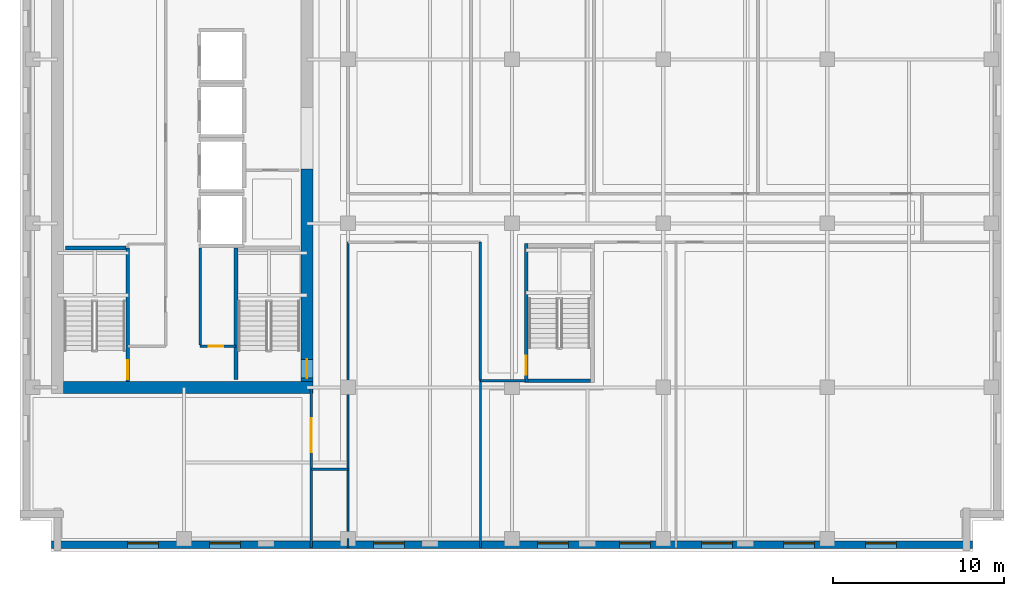
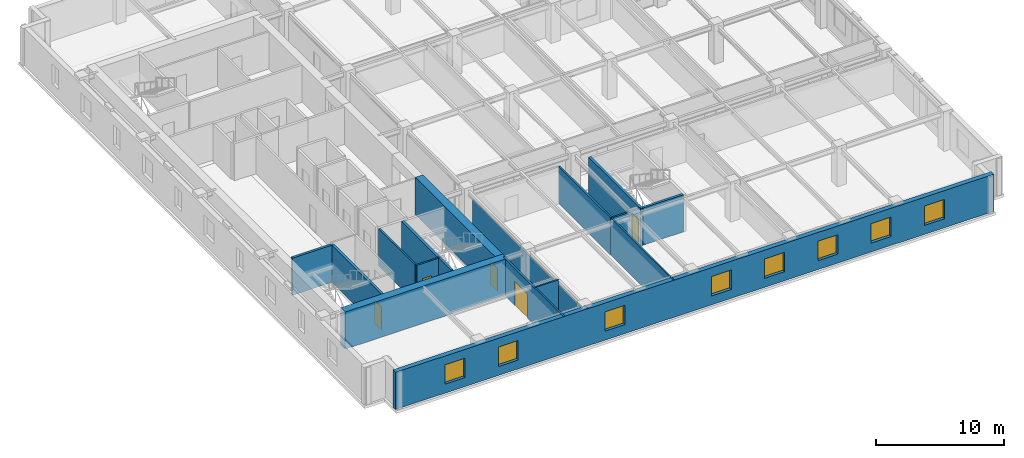
# One storey, part 3 of 11: 17 walls, 8 windows, 5 doors, 13 openings.
"""IFC4 building model written with IfcOpenShell, lengths in metres."""

from ifc_helpers import new_model, si_unit, direction, frame, frame_2d, origin, place, context, subcontext, project, spatial, rectangle, extrude, material, layer, layer_set, type_object, element, fill, save


model = new_model("IFC4")

# Units and contexts
model_context = context("Model", 3, precision=1e-05, world=origin(), true_north=direction((0.0, 1.0)))
body_context = subcontext(model_context, "Body", "Model", "MODEL_VIEW")
ifc_project = project(units=[si_unit("LENGTHUNIT", "METRE"), si_unit("AREAUNIT", "SQUARE_METRE"), si_unit("VOLUMEUNIT", "CUBIC_METRE"), si_unit("PLANEANGLEUNIT", "RADIAN"), si_unit("MASSUNIT", "GRAM", prefix="KILO")], contexts=[model_context])

# Site, building, storey
site_placement = place(None, origin())
site = spatial("IfcSite", under=ifc_project, at=site_placement, CompositionType="ELEMENT")
building_placement = place(site_placement, origin())
building = spatial("IfcBuilding", under=site, at=building_placement, Name="Norrvale University Quadrangle", CompositionType="ELEMENT")
storey_placement = place(building_placement, frame((0.0, 0.0, 206.60009765625)))
storey = spatial("IfcBuildingStorey", under=building, at=storey_placement, Name="L52", CompositionType="ELEMENT", Elevation=206.60009765625)

# Wall, openings, windows
ifc_material_1 = material(Name="Buff Norman Clay Brick Masonry", Category="masonry")
ifc_layer_1 = layer(ifc_material_1, 0.419921875, Name="Buff Norman Clay Brick Masonry")
ifc_layer_set_1 = layer_set([ifc_layer_1], Name="Buff Norman Clay Brick Masonry")
wall_type_1 = type_object("IfcWallType", Name="Wall Buff Brick 420", PredefinedType="SOLIDWALL", material=ifc_layer_set_1)
wall_1_placement = place(storey_placement, frame((1.840087890625, 0.389892578125, 0.0), z_axis=(0.0, 0.0, 1.0), x_axis=(1.0, 0.0, 0.0)))
wall_1 = element("IfcWall", 1, at=wall_1_placement, inside=storey, type_object=wall_type_1, Name="Exterior Brick Facade Wall L52-01.1", PredefinedType="SOLIDWALL", context=body_context, shape_type="SweptSolid", body=[
    extrude(rectangle(XDim=53.919921875, YDim=0.419921875, at=frame_2d((26.9599609375, 0.0))), origin(), (0.0, 0.0, 1.0), 3.539794921875),
])
opening_1_placement = place(wall_1_placement, frame((4.4599609375, 0.0, 0.85009765625)))
opening_1 = element("IfcOpeningElement", 2, at=opening_1_placement, cuts=wall_1, Name="Opening W01", PredefinedType="OPENING", context=body_context, shape_type="SweptSolid", body=[
    extrude(rectangle(XDim=1.800048828125, YDim=1.85009765625, at=frame_2d((0.89990234375, 0.925048828125))), frame((0.0, 0.221923828125, 0.0), z_axis=(0.0, -1.0, 0.0), x_axis=(1.0, 0.0, 0.0)), (0.0, 0.0, 1.0), 0.44384765625),
])
opening_2_placement = place(wall_1_placement, frame((9.260009765625, 0.0, 0.85009765625)))
opening_2 = element("IfcOpeningElement", 3, at=opening_2_placement, cuts=wall_1, Name="Opening W01", PredefinedType="OPENING", context=body_context, shape_type="SweptSolid", body=[
    extrude(rectangle(XDim=1.800048828125, YDim=1.85009765625, at=frame_2d((0.89990234375, 0.925048828125))), frame((0.0, 0.221923828125, 0.0), z_axis=(0.0, -1.0, 0.0), x_axis=(1.0, 0.0, 0.0)), (0.0, 0.0, 1.0), 0.44384765625),
])
opening_3_placement = place(wall_1_placement, frame((18.860107421875, 0.0, 0.85009765625)))
opening_3 = element("IfcOpeningElement", 4, at=opening_3_placement, cuts=wall_1, Name="Opening W01", PredefinedType="OPENING", context=body_context, shape_type="SweptSolid", body=[
    extrude(rectangle(XDim=1.800048828125, YDim=1.85009765625, at=frame_2d((0.89990234375, 0.925048828125))), frame((0.0, 0.221923828125, 0.0), z_axis=(0.0, -1.0, 0.0), x_axis=(1.0, 0.0, 0.0)), (0.0, 0.0, 1.0), 0.44384765625),
])
opening_4_placement = place(wall_1_placement, frame((28.4599609375, 0.0, 0.85009765625)))
opening_4 = element("IfcOpeningElement", 5, at=opening_4_placement, cuts=wall_1, Name="Opening W01", PredefinedType="OPENING", context=body_context, shape_type="SweptSolid", body=[
    extrude(rectangle(XDim=1.800048828125, YDim=1.85009765625, at=frame_2d((0.89990234375, 0.925048828125))), frame((0.0, 0.221923828125, 0.0), z_axis=(0.0, -1.0, 0.0), x_axis=(1.0, 0.0, 0.0)), (0.0, 0.0, 1.0), 0.44384765625),
])
opening_5_placement = place(wall_1_placement, frame((33.260009765625, 0.0, 0.85009765625)))
opening_5 = element("IfcOpeningElement", 6, at=opening_5_placement, cuts=wall_1, Name="Opening W01", PredefinedType="OPENING", context=body_context, shape_type="SweptSolid", body=[
    extrude(rectangle(XDim=1.800048828125, YDim=1.85009765625, at=frame_2d((0.89990234375, 0.925048828125))), frame((0.0, 0.221923828125, 0.0), z_axis=(0.0, -1.0, 0.0), x_axis=(1.0, 0.0, 0.0)), (0.0, 0.0, 1.0), 0.44384765625),
])
opening_6_placement = place(wall_1_placement, frame((38.06005859375, 0.0, 0.85009765625)))
opening_6 = element("IfcOpeningElement", 7, at=opening_6_placement, cuts=wall_1, Name="Opening W01", PredefinedType="OPENING", context=body_context, shape_type="SweptSolid", body=[
    extrude(rectangle(XDim=1.800048828125, YDim=1.85009765625, at=frame_2d((0.89990234375, 0.925048828125))), frame((0.0, 0.221923828125, 0.0), z_axis=(0.0, -1.0, 0.0), x_axis=(1.0, 0.0, 0.0)), (0.0, 0.0, 1.0), 0.44384765625),
])
opening_7_placement = place(wall_1_placement, frame((42.860107421875, 0.0, 0.85009765625)))
opening_7 = element("IfcOpeningElement", 8, at=opening_7_placement, cuts=wall_1, Name="Opening W01", PredefinedType="OPENING", context=body_context, shape_type="SweptSolid", body=[
    extrude(rectangle(XDim=1.800048828125, YDim=1.85009765625, at=frame_2d((0.89990234375, 0.925048828125))), frame((0.0, 0.221923828125, 0.0), z_axis=(0.0, -1.0, 0.0), x_axis=(1.0, 0.0, 0.0)), (0.0, 0.0, 1.0), 0.44384765625),
])
opening_8_placement = place(wall_1_placement, frame((47.659912109375, 0.0, 0.85009765625)))
opening_8 = element("IfcOpeningElement", 9, at=opening_8_placement, cuts=wall_1, Name="Opening W01", PredefinedType="OPENING", context=body_context, shape_type="SweptSolid", body=[
    extrude(rectangle(XDim=1.800048828125, YDim=1.85009765625, at=frame_2d((0.89990234375, 0.925048828125))), frame((0.0, 0.221923828125, 0.0), z_axis=(0.0, -1.0, 0.0), x_axis=(1.0, 0.0, 0.0)), (0.0, 0.0, 1.0), 0.44384765625),
])
ifc_material_2 = material(Name="Triple Low-E Argon Glazing", Category="glass")
window_type = type_object("IfcWindowType", Name="Window Academic 1800x2300", PartitioningType="DOUBLE_PANEL_VERTICAL", PredefinedType="WINDOW", material=ifc_material_2)
window_1_placement = place(opening_1_placement, origin())
window_1 = element("IfcWindow", 10, at=window_1_placement, inside=storey, type_object=window_type, Name="Window Academic 1800x2300 WIN-L52-E01-1-01", OverallHeight=1.85009765625, OverallWidth=1.800048828125, PartitioningType="DOUBLE_PANEL_VERTICAL", PredefinedType="WINDOW", context=body_context, shape_type="SweptSolid", body=[
    extrude(rectangle(XDim=1.800048828125, YDim=1.85009765625, at=frame_2d((0.89990234375, 0.925048828125))), frame((0.0, 0.110107421875, 0.0), z_axis=(0.0, -1.0, 0.0), x_axis=(1.0, 0.0, 0.0)), (0.0, 0.0, 1.0), 0.06005859375),
])
fill(opening_1, window_1)
window_2_placement = place(opening_2_placement, origin())
window_2 = element("IfcWindow", 11, at=window_2_placement, inside=storey, type_object=window_type, Name="Window Academic 1800x2300 WIN-L52-E01-1-02", OverallHeight=1.85009765625, OverallWidth=1.800048828125, PartitioningType="DOUBLE_PANEL_VERTICAL", PredefinedType="WINDOW", context=body_context, shape_type="SweptSolid", body=[
    extrude(rectangle(XDim=1.800048828125, YDim=1.85009765625, at=frame_2d((0.89990234375, 0.925048828125))), frame((0.0, 0.110107421875, 0.0), z_axis=(0.0, -1.0, 0.0), x_axis=(1.0, 0.0, 0.0)), (0.0, 0.0, 1.0), 0.06005859375),
])
fill(opening_2, window_2)
window_3_placement = place(opening_3_placement, origin())
window_3 = element("IfcWindow", 12, at=window_3_placement, inside=storey, type_object=window_type, Name="Window Academic 1800x2300 WIN-L52-E01-1-03", OverallHeight=1.85009765625, OverallWidth=1.800048828125, PartitioningType="DOUBLE_PANEL_VERTICAL", PredefinedType="WINDOW", context=body_context, shape_type="SweptSolid", body=[
    extrude(rectangle(XDim=1.800048828125, YDim=1.85009765625, at=frame_2d((0.89990234375, 0.925048828125))), frame((0.0, 0.110107421875, 0.0), z_axis=(0.0, -1.0, 0.0), x_axis=(1.0, 0.0, 0.0)), (0.0, 0.0, 1.0), 0.06005859375),
])
fill(opening_3, window_3)
window_4_placement = place(opening_4_placement, origin())
window_4 = element("IfcWindow", 13, at=window_4_placement, inside=storey, type_object=window_type, Name="Window Academic 1800x2300 WIN-L52-E01-1-04", OverallHeight=1.85009765625, OverallWidth=1.800048828125, PartitioningType="DOUBLE_PANEL_VERTICAL", PredefinedType="WINDOW", context=body_context, shape_type="SweptSolid", body=[
    extrude(rectangle(XDim=1.800048828125, YDim=1.85009765625, at=frame_2d((0.89990234375, 0.925048828125))), frame((0.0, 0.110107421875, 0.0), z_axis=(0.0, -1.0, 0.0), x_axis=(1.0, 0.0, 0.0)), (0.0, 0.0, 1.0), 0.06005859375),
])
fill(opening_4, window_4)
window_5_placement = place(opening_5_placement, origin())
window_5 = element("IfcWindow", 14, at=window_5_placement, inside=storey, type_object=window_type, Name="Window Academic 1800x2300 WIN-L52-E01-1-05", OverallHeight=1.85009765625, OverallWidth=1.800048828125, PartitioningType="DOUBLE_PANEL_VERTICAL", PredefinedType="WINDOW", context=body_context, shape_type="SweptSolid", body=[
    extrude(rectangle(XDim=1.800048828125, YDim=1.85009765625, at=frame_2d((0.89990234375, 0.925048828125))), frame((0.0, 0.110107421875, 0.0), z_axis=(0.0, -1.0, 0.0), x_axis=(1.0, 0.0, 0.0)), (0.0, 0.0, 1.0), 0.06005859375),
])
fill(opening_5, window_5)
window_6_placement = place(opening_6_placement, origin())
window_6 = element("IfcWindow", 15, at=window_6_placement, inside=storey, type_object=window_type, Name="Window Academic 1800x2300 WIN-L52-E01-1-06", OverallHeight=1.85009765625, OverallWidth=1.800048828125, PartitioningType="DOUBLE_PANEL_VERTICAL", PredefinedType="WINDOW", context=body_context, shape_type="SweptSolid", body=[
    extrude(rectangle(XDim=1.800048828125, YDim=1.85009765625, at=frame_2d((0.89990234375, 0.925048828125))), frame((0.0, 0.110107421875, 0.0), z_axis=(0.0, -1.0, 0.0), x_axis=(1.0, 0.0, 0.0)), (0.0, 0.0, 1.0), 0.06005859375),
])
fill(opening_6, window_6)
window_7_placement = place(opening_7_placement, origin())
window_7 = element("IfcWindow", 16, at=window_7_placement, inside=storey, type_object=window_type, Name="Window Academic 1800x2300 WIN-L52-E01-1-07", OverallHeight=1.85009765625, OverallWidth=1.800048828125, PartitioningType="DOUBLE_PANEL_VERTICAL", PredefinedType="WINDOW", context=body_context, shape_type="SweptSolid", body=[
    extrude(rectangle(XDim=1.800048828125, YDim=1.85009765625, at=frame_2d((0.89990234375, 0.925048828125))), frame((0.0, 0.110107421875, 0.0), z_axis=(0.0, -1.0, 0.0), x_axis=(1.0, 0.0, 0.0)), (0.0, 0.0, 1.0), 0.06005859375),
])
fill(opening_7, window_7)
window_8_placement = place(opening_8_placement, origin())
window_8 = element("IfcWindow", 17, at=window_8_placement, inside=storey, type_object=window_type, Name="Window Academic 1800x2300 WIN-L52-E01-1-08", OverallHeight=1.85009765625, OverallWidth=1.800048828125, PartitioningType="DOUBLE_PANEL_VERTICAL", PredefinedType="WINDOW", context=body_context, shape_type="SweptSolid", body=[
    extrude(rectangle(XDim=1.800048828125, YDim=1.85009765625, at=frame_2d((0.89990234375, 0.925048828125))), frame((0.0, 0.110107421875, 0.0), z_axis=(0.0, -1.0, 0.0), x_axis=(1.0, 0.0, 0.0)), (0.0, 0.0, 1.0), 0.06005859375),
])
fill(opening_8, window_8)

# Wall
ifc_material_3 = material(Name="Concrete C60/75", Category="concrete")
ifc_layer_2 = layer(ifc_material_3, 0.699951171875, Name="Concrete C60/75")
ifc_layer_set_2 = layer_set([ifc_layer_2], Name="Concrete C60/75")
wall_type_2 = type_object("IfcWallType", Name="Wall Core 700", PredefinedType="SHEAR", material=ifc_layer_set_2)
wall_2_placement = place(storey_placement, frame((2.550048828125, 9.60009765625, 0.0), z_axis=(0.0, 0.0, 1.0), x_axis=(1.0, 0.0, 0.0)))
element("IfcWall", 18, at=wall_2_placement, inside=storey, type_object=wall_type_2, Name="Tower Core Shear Wall L52-S", PredefinedType="SHEAR", context=body_context, shape_type="SweptSolid", body=[
    extrude(rectangle(XDim=14.599853515625, YDim=0.699951171875, at=frame_2d((7.2998046875, 0.0))), origin(), (0.0, 0.0, 1.0), 3.539794921875),
])

# Wall, opening, door
wall_3_placement = place(storey_placement, frame((16.800048828125, 9.949951171875, 0.0), z_axis=(0.0, 0.0, 1.0), x_axis=(0.0, 1.0, 0.0)))
wall_3 = element("IfcWall", 19, at=wall_3_placement, inside=storey, type_object=wall_type_2, Name="Tower Core Shear Wall L52-E1", PredefinedType="SHEAR", context=body_context, shape_type="SweptSolid", body=[
    extrude(rectangle(XDim=12.449951171875, YDim=0.699951171875, at=frame_2d((6.22509765625, 0.0))), origin(), (0.0, 0.0, 1.0), 3.539794921875),
])
opening_9_placement = place(wall_3_placement, frame((0.18994140625, 0.0, 0.0)))
opening_9 = element("IfcOpeningElement", 20, at=opening_9_placement, cuts=wall_3, Name="Opening D02", PredefinedType="OPENING", context=body_context, shape_type="SweptSolid", body=[
    extrude(rectangle(XDim=1.10009765625, YDim=2.199951171875, at=frame_2d((0.550048828125, 1.10009765625))), frame((0.0, 0.362060546875, 0.0), z_axis=(0.0, -1.0, 0.0), x_axis=(1.0, 0.0, 0.0)), (0.0, 0.0, 1.0), 0.723876953125),
])
ifc_material_4 = material(Name="Hollow Steel 350W Fire Door", Category="steel")
door_type_1 = type_object("IfcDoorType", Name="Door Stair Exit 1100x2200", OperationType="NOTDEFINED", PredefinedType="DOOR", material=ifc_material_4)
door_1_placement = place(opening_9_placement, origin())
door_1 = element("IfcDoor", 21, at=door_1_placement, inside=storey, type_object=door_type_1, Name="Door Stair Exit 1100x2200 DR-L52-ST03", OperationType="SINGLE_SWING_LEFT", OverallHeight=2.199951171875, OverallWidth=1.10009765625, PredefinedType="DOOR", context=body_context, shape_type="SweptSolid", body=[
    extrude(rectangle(XDim=1.10009765625, YDim=2.199951171875, at=frame_2d((0.550048828125, 1.10009765625))), frame((0.0, 0.02490234375, 0.0), z_axis=(0.0, -1.0, 0.0), x_axis=(1.0, 0.0, 0.0)), (0.0, 0.0, 1.0), 0.050048828125),
])
fill(opening_9, door_1)

# Walls
ifc_material_5 = material(Name="Standard Academic Gypsum Partition")
ifc_layer_3 = layer(ifc_material_5, 0.125, Name="Standard Academic Gypsum Partition")
ifc_layer_set_3 = layer_set([ifc_layer_3], Name="Standard Academic Gypsum Partition")
wall_type_3 = type_object("IfcWallType", Name="Wall Gypsum Academic 125", PredefinedType="PARTITIONING", material=ifc_layer_set_3)
wall_4_placement = place(storey_placement, frame((19.199951171875, 0.219970703125, 0.0), z_axis=(0.0, 0.0, 1.0), x_axis=(0.0, 1.0, 0.0)))
element("IfcWall", 22, at=wall_4_placement, inside=storey, type_object=wall_type_3, Name="Interior Partition WL-L52-SE-W0", PredefinedType="PARTITIONING", context=body_context, shape_type="SweptSolid", body=[
    extrude(rectangle(XDim=0.530029296875, YDim=0.125, at=frame_2d((0.26513671875, 0.0))), origin(), (0.0, 0.0, 1.0), 3.539794921875),
])
wall_5_placement = place(storey_placement, frame((19.199951171875, 0.75, 0.0), z_axis=(0.0, 0.0, 1.0), x_axis=(0.0, 1.0, 0.0)))
element("IfcWall", 23, at=wall_5_placement, inside=storey, type_object=wall_type_3, Name="Interior Partition WL-L52-SE-W0-B2", PredefinedType="PARTITIONING", context=body_context, shape_type="SweptSolid", body=[
    extrude(rectangle(XDim=17.35009765625, YDim=0.125, at=frame_2d((8.675048828125, 0.0))), origin(), (0.0, 0.0, 1.0), 3.07080078125),
])
wall_6_placement = place(storey_placement, frame((26.949951171875, 0.219970703125, 0.0), z_axis=(0.0, 0.0, 1.0), x_axis=(0.0, 1.0, 0.0)))
element("IfcWall", 24, at=wall_6_placement, inside=storey, type_object=wall_type_3, Name="Interior Partition WL-L52-SEP1A", PredefinedType="PARTITIONING", context=body_context, shape_type="SweptSolid", body=[
    extrude(rectangle(XDim=9.780029296875, YDim=0.125, at=frame_2d((4.89013671875, 0.0))), origin(), (0.0, 0.0, 1.0), 3.539794921875),
])

# Wall, opening, door
ifc_material_6 = material(Name="Fire-Rated Gypsum Stud Partition")
ifc_layer_4 = layer(ifc_material_6, 0.14990234375, Name="Fire-Rated Gypsum Stud Partition")
ifc_layer_set_4 = layer_set([ifc_layer_4], Name="Fire-Rated Gypsum Stud Partition")
wall_type_4 = type_object("IfcWallType", Name="Wall Gypsum Corridor 150", PredefinedType="PARTITIONING", material=ifc_layer_set_4)
wall_7_placement = place(storey_placement, frame((10.550048828125, 12.02001953125, 0.0), z_axis=(0.0, 0.0, 1.0), x_axis=(1.0, 0.0, 0.0)))
wall_7 = element("IfcWall", 25, at=wall_7_placement, inside=storey, type_object=wall_type_4, Name="Interior Partition WL-L52-SC-NR", PredefinedType="PARTITIONING", context=body_context, shape_type="SweptSolid", body=[
    extrude(rectangle(XDim=2.079833984375, YDim=0.14990234375, at=frame_2d((1.0400390625, 0.0))), origin(), (0.0, 0.0, 1.0), 3.539794921875),
])
opening_10_placement = place(wall_7_placement, frame((0.5, 0.0, 0.0)))
opening_10 = element("IfcOpeningElement", 26, at=opening_10_placement, cuts=wall_7, Name="Opening D10", PredefinedType="OPENING", context=body_context, shape_type="SweptSolid", body=[
    extrude(rectangle(XDim=0.85009765625, YDim=2.10009765625, at=frame_2d((0.425048828125, 1.050048828125))), frame((0.0, 0.0869140625, 0.0), z_axis=(0.0, -1.0, 0.0), x_axis=(1.0, 0.0, 0.0)), (0.0, 0.0, 1.0), 0.173828125),
])
ifc_material_7 = material(Name="Hollow Steel 350W Riser Fire Door", Category="steel")
door_type_2 = type_object("IfcDoorType", Name="Door Riser 850x2100", OperationType="NOTDEFINED", PredefinedType="DOOR", material=ifc_material_7)
door_2_placement = place(opening_10_placement, origin())
door_2 = element("IfcDoor", 27, at=door_2_placement, inside=storey, type_object=door_type_2, Name="Door Riser 850x2100 DR-L52-IDF", OperationType="SINGLE_SWING_RIGHT", OverallHeight=2.10009765625, OverallWidth=0.85009765625, PredefinedType="DOOR", context=body_context, shape_type="SweptSolid", body=[
    extrude(rectangle(XDim=0.85009765625, YDim=2.10009765625, at=frame_2d((0.425048828125, 1.050048828125))), frame((0.0, 0.02490234375, 0.0), z_axis=(0.0, -1.0, 0.0), x_axis=(1.0, 0.0, 0.0)), (0.0, 0.0, 1.0), 0.050048828125),
])
fill(opening_10, door_2)

# Walls
wall_8_placement = place(storey_placement, frame((10.550048828125, 12.094970703125, 0.0), z_axis=(0.0, 0.0, 1.0), x_axis=(0.0, 1.0, 0.0)))
element("IfcWall", 28, at=wall_8_placement, inside=storey, type_object=wall_type_4, Name="Interior Partition WL-L52-SC-WR", PredefinedType="PARTITIONING", context=body_context, shape_type="SweptSolid", body=[
    extrude(rectangle(XDim=5.679931640625, YDim=0.14990234375, at=frame_2d((2.83984375, 0.0))), origin(), (0.0, 0.0, 1.0), 3.539794921875),
])
wall_9_placement = place(storey_placement, frame((17.050048828125, 4.800048828125, 0.0), z_axis=(0.0, 0.0, 1.0), x_axis=(1.0, 0.0, 0.0)))
element("IfcWall", 29, at=wall_9_placement, inside=storey, type_object=wall_type_4, Name="Interior Partition WL-L52-CSP-S", PredefinedType="PARTITIONING", context=body_context, shape_type="SweptSolid", body=[
    extrude(rectangle(XDim=2.14990234375, YDim=0.14990234375, at=frame_2d((1.074951171875, 0.0))), origin(), (0.0, 0.0, 1.0), 3.539794921875),
])

# Wall, opening, door
wall_10_placement = place(storey_placement, frame((17.050048828125, 0.219970703125, 0.0), z_axis=(0.0, 0.0, 1.0), x_axis=(0.0, 1.0, 0.0)))
wall_10 = element("IfcWall", 30, at=wall_10_placement, inside=storey, type_object=wall_type_4, Name="Interior Partition WL-L52-SW-E", PredefinedType="PARTITIONING", context=body_context, shape_type="SweptSolid", body=[
    extrude(rectangle(XDim=9.380126953125, YDim=0.14990234375, at=frame_2d((4.68994140625, 0.0))), origin(), (0.0, 0.0, 1.0), 3.539794921875),
])
opening_11_placement = place(wall_10_placement, frame((5.580078125, 0.0, 0.0)))
opening_11 = element("IfcOpeningElement", 31, at=opening_11_placement, cuts=wall_10, Name="Opening D06", PredefinedType="OPENING", context=body_context, shape_type="SweptSolid", body=[
    extrude(rectangle(XDim=2.0, YDim=2.300048828125, at=frame_2d((1.0, 1.14990234375))), frame((0.0, 0.0869140625, 0.0), z_axis=(0.0, -1.0, 0.0), x_axis=(1.0, 0.0, 0.0)), (0.0, 0.0, 1.0), 0.173828125),
])
ifc_material_8 = material(Name="Acoustic Oak Double Door", Category="wood")
door_type_3 = type_object("IfcDoorType", Name="Door Lecture Dbl 2000x2300", OperationType="DOUBLE_SWING_LEFT", PredefinedType="DOOR", material=ifc_material_8)
door_3_placement = place(opening_11_placement, origin())
door_3 = element("IfcDoor", 32, at=door_3_placement, inside=storey, type_object=door_type_3, Name="Door Lecture Dbl 2000x2300 DR-L52-SW1", OperationType="DOUBLE_SWING_LEFT", OverallHeight=2.300048828125, OverallWidth=2.0, PredefinedType="DOOR", context=body_context, shape_type="SweptSolid", body=[
    extrude(rectangle(XDim=2.0, YDim=2.300048828125, at=frame_2d((1.0, 1.14990234375))), frame((0.0, 0.02490234375, 0.0), z_axis=(0.0, -1.0, 0.0), x_axis=(1.0, 0.0, 0.0)), (0.0, 0.0, 1.0), 0.050048828125),
])
fill(opening_11, door_3)

# Walls
wall_11_placement = place(storey_placement, frame((26.949951171875, 10.0, 0.0), z_axis=(0.0, 0.0, 1.0), x_axis=(0.0, 1.0, 0.0)))
element("IfcWall", 33, at=wall_11_placement, inside=storey, type_object=wall_type_4, Name="Interior Partition WL-L52-SEP1B", PredefinedType="PARTITIONING", context=body_context, shape_type="SweptSolid", body=[
    extrude(rectangle(XDim=8.10009765625, YDim=0.14990234375, at=frame_2d((4.050048828125, 0.0))), origin(), (0.0, 0.0, 1.0), 3.539794921875),
])
wall_12_placement = place(storey_placement, frame((26.949951171875, 10.0, 0.0), z_axis=(0.0, 0.0, 1.0), x_axis=(1.0, 0.0, 0.0)))
element("IfcWall", 34, at=wall_12_placement, inside=storey, type_object=wall_type_4, Name="Interior Partition WL-L52-SEP1C", PredefinedType="PARTITIONING", context=body_context, shape_type="SweptSolid", body=[
    extrude(rectangle(XDim=2.630126953125, YDim=0.14990234375, at=frame_2d((1.31494140625, 0.0))), origin(), (0.0, 0.0, 1.0), 3.539794921875),
])

# Wall, opening, door
ifc_material_9 = material(Name="Concrete Blockwork 20 MPa Fire Shaft", Category="masonry")
ifc_layer_5 = layer(ifc_material_9, 0.219970703125, Name="Concrete Blockwork 20 MPa Fire Shaft")
ifc_layer_set_5 = layer_set([ifc_layer_5], Name="Concrete Blockwork 20 MPa Fire Shaft")
wall_type_5 = type_object("IfcWallType", Name="Wall Shaft 220", PredefinedType="SOLIDWALL", material=ifc_layer_set_5)
wall_13_placement = place(storey_placement, frame((6.31005859375, 9.949951171875, 0.0), z_axis=(0.0, 0.0, 1.0), x_axis=(0.0, 1.0, 0.0)))
wall_13 = element("IfcWall", 35, at=wall_13_placement, inside=storey, type_object=wall_type_5, Name="Stair ST-01 East Shaft Wall L52", PredefinedType="SOLIDWALL", context=body_context, shape_type="SweptSolid", body=[
    extrude(rectangle(XDim=7.81005859375, YDim=0.219970703125, at=frame_2d((3.905029296875, 0.0))), origin(), (0.0, 0.0, 1.0), 3.539794921875),
])
opening_12_placement = place(wall_13_placement, frame((0.139892578125, 0.0, 0.0)))
opening_12 = element("IfcOpeningElement", 36, at=opening_12_placement, cuts=wall_13, Name="Opening D02", PredefinedType="OPENING", context=body_context, shape_type="SweptSolid", body=[
    extrude(rectangle(XDim=1.10009765625, YDim=2.199951171875, at=frame_2d((0.550048828125, 1.10009765625))), frame((0.0, 0.1220703125, 0.0), z_axis=(0.0, -1.0, 0.0), x_axis=(1.0, 0.0, 0.0)), (0.0, 0.0, 1.0), 0.243896484375),
])
door_4_placement = place(opening_12_placement, origin())
door_4 = element("IfcDoor", 37, at=door_4_placement, inside=storey, type_object=door_type_1, Name="Door Stair Exit 1100x2200 DR-L52-ST01", OperationType="SINGLE_SWING_LEFT", OverallHeight=2.199951171875, OverallWidth=1.10009765625, PredefinedType="DOOR", context=body_context, shape_type="SweptSolid", body=[
    extrude(rectangle(XDim=1.10009765625, YDim=2.199951171875, at=frame_2d((0.550048828125, 1.10009765625))), frame((0.0, 0.02490234375, 0.0), z_axis=(0.0, -1.0, 0.0), x_axis=(1.0, 0.0, 0.0)), (0.0, 0.0, 1.0), 0.050048828125),
])
fill(opening_12, door_4)

# Walls
wall_14_placement = place(storey_placement, frame((2.64990234375, 17.760009765625, 0.0), z_axis=(0.0, 0.0, 1.0), x_axis=(1.0, 0.0, 0.0)))
element("IfcWall", 38, at=wall_14_placement, inside=storey, type_object=wall_type_5, Name="Stair ST-01 North Shaft Wall L52", PredefinedType="SOLIDWALL", context=body_context, shape_type="SweptSolid", body=[
    extrude(rectangle(XDim=3.550048828125, YDim=0.219970703125, at=frame_2d((1.77490234375, 0.0))), origin(), (0.0, 0.0, 1.0), 3.539794921875),
])
wall_15_placement = place(storey_placement, frame((12.639892578125, 10.050048828125, 0.0), z_axis=(0.0, 0.0, 1.0), x_axis=(0.0, 1.0, 0.0)))
element("IfcWall", 39, at=wall_15_placement, inside=storey, type_object=wall_type_5, Name="Stair ST-03 West Shaft Wall L52", PredefinedType="SOLIDWALL", context=body_context, shape_type="SweptSolid", body=[
    extrude(rectangle(XDim=7.7099609375, YDim=0.219970703125, at=frame_2d((3.85498046875, 0.0))), origin(), (0.0, 0.0, 1.0), 3.539794921875),
])
wall_16_placement = place(storey_placement, frame((29.75, 9.989990234375, 0.0), z_axis=(0.0, 0.0, 1.0), x_axis=(1.0, 0.0, 0.0)))
element("IfcWall", 40, at=wall_16_placement, inside=storey, type_object=wall_type_5, Name="Stair ST-04 South Shaft Wall L52", PredefinedType="SOLIDWALL", context=body_context, shape_type="SweptSolid", body=[
    extrude(rectangle(XDim=3.64990234375, YDim=0.219970703125, at=frame_2d((1.824951171875, 0.0))), origin(), (0.0, 0.0, 1.0), 3.539794921875),
])

# Wall, opening, door
wall_17_placement = place(storey_placement, frame((29.639892578125, 9.8798828125, 0.0), z_axis=(0.0, 0.0, 1.0), x_axis=(0.0, 1.0, 0.0)))
wall_17 = element("IfcWall", 41, at=wall_17_placement, inside=storey, type_object=wall_type_5, Name="Stair ST-04 West Shaft Wall L52", PredefinedType="SOLIDWALL", context=body_context, shape_type="SweptSolid", body=[
    extrude(rectangle(XDim=8.14013671875, YDim=0.219970703125, at=frame_2d((4.070068359375, 0.0))), origin(), (0.0, 0.0, 1.0), 3.539794921875),
])
opening_13_placement = place(wall_17_placement, frame((0.469970703125, 0.0, 0.0)))
opening_13 = element("IfcOpeningElement", 42, at=opening_13_placement, cuts=wall_17, Name="Opening D02", PredefinedType="OPENING", context=body_context, shape_type="SweptSolid", body=[
    extrude(rectangle(XDim=1.10009765625, YDim=2.199951171875, at=frame_2d((0.550048828125, 1.10009765625))), frame((0.0, 0.1220703125, 0.0), z_axis=(0.0, -1.0, 0.0), x_axis=(1.0, 0.0, 0.0)), (0.0, 0.0, 1.0), 0.243896484375),
])
door_5_placement = place(opening_13_placement, frame((1.10009765625, 0.0, 0.0), z_axis=(0.0, 0.0, 1.0), x_axis=(-1.0, 0.0, 0.0)))
door_5 = element("IfcDoor", 43, at=door_5_placement, inside=storey, type_object=door_type_1, Name="Door Stair Exit 1100x2200 DR-L52-ST04", OperationType="SINGLE_SWING_RIGHT", OverallHeight=2.199951171875, OverallWidth=1.10009765625, PredefinedType="DOOR", context=body_context, shape_type="SweptSolid", body=[
    extrude(rectangle(XDim=1.10009765625, YDim=2.199951171875, at=frame_2d((0.550048828125, 1.10009765625))), frame((0.0, 0.02490234375, 0.0), z_axis=(0.0, -1.0, 0.0), x_axis=(1.0, 0.0, 0.0)), (0.0, 0.0, 1.0), 0.050048828125),
])
fill(opening_13, door_5)

save(model, "model.ifc")
